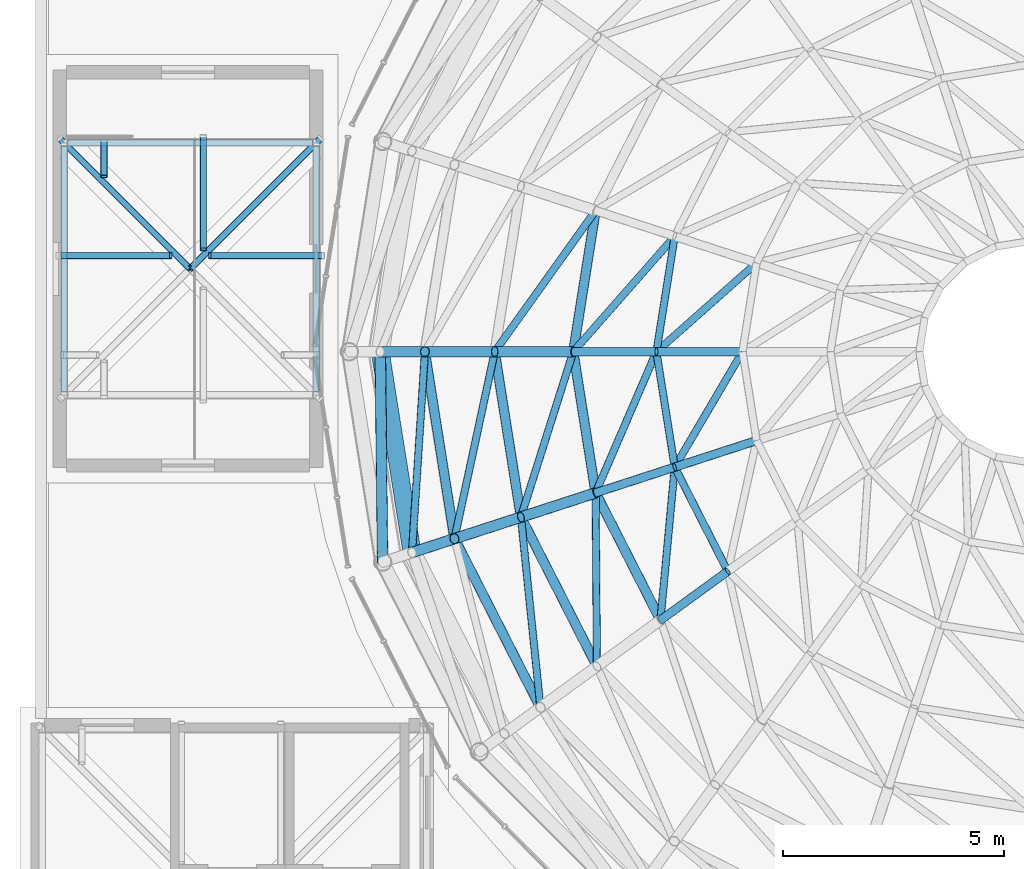
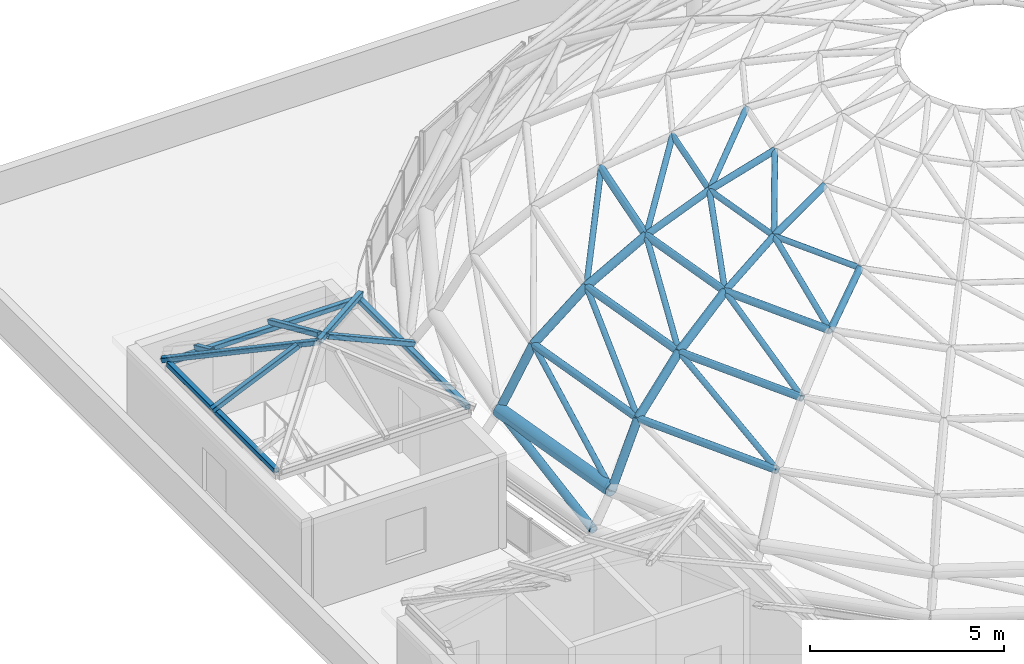
# One storey, part 22 of 69: 43 members.
"""IFC4 building model written with IfcOpenShell, lengths in metres."""

from ifc_helpers import new_model, si_unit, direction, frame, origin, origin_2d, place, context, subcontext, project, spatial, hollow_rectangle, hollow_circle, extrude, material, material_profile, profile_set, type_object, element, save


model = new_model("IFC4")

# Units and contexts
model_context = context("Model", 3, precision=1e-05, world=origin(), true_north=direction((0.0, 1.0)))
body_context = subcontext(model_context, "Body", "Model", "MODEL_VIEW")
ifc_project = project(units=[si_unit("LENGTHUNIT", "METRE"), si_unit("AREAUNIT", "SQUARE_METRE"), si_unit("VOLUMEUNIT", "CUBIC_METRE"), si_unit("PLANEANGLEUNIT", "RADIAN"), si_unit("MASSUNIT", "GRAM", prefix="KILO")], contexts=[model_context])

# Site, building, storey
site_placement = place(None, origin())
site = spatial("IfcSite", under=ifc_project, at=site_placement, CompositionType="ELEMENT")
building_placement = place(site_placement, origin())
building = spatial("IfcBuilding", under=site, at=building_placement, Name="Kallimachos Central Library", CompositionType="ELEMENT")
storey_placement = place(building_placement, frame((0.0, 0.0, 23.39990234375)))
storey = spatial("IfcBuildingStorey", under=building, at=storey_placement, Name="L05", CompositionType="ELEMENT", Elevation=23.39990234375)

# Members
ifc_material_1 = material(Name="Steel S355J2H", Category="steel")
ifc_material_profile_1 = material_profile(ifc_material_1, hollow_circle(Radius=0.084228515625, WallThickness=0.008056640625, at=origin_2d()), Name="CHS 168.3x8")
ifc_profile_set_1 = profile_set([ifc_material_profile_1], Name="Steel S355J2H")
member_type_1 = type_object("IfcMemberType", Name="CHS 168.3x8 dome diagonal", PredefinedType="BRACE", material=ifc_profile_set_1)
member_1_placement = place(storey_placement, frame((81.815185546875, 106.40966796875, 7.582763671875), z_axis=(-0.734954287722, -0.65202540107, -0.186292971734), x_axis=(0.663642976743, -0.748049463217, 0.0)))
element("IfcMember", 1, at=member_1_placement, inside=storey, type_object=member_type_1, Name="Dome diagonal DD-2-09", PredefinedType="BRACE", context=body_context, shape_type="SweptSolid", body=[
    extrude(hollow_circle(Radius=0.084228515625, WallThickness=0.008056640625, at=origin_2d()), origin(), (0.0, 0.0, 1.0), 3.082275390625),
])
member_2_placement = place(storey_placement, frame((81.496826171875, 104.39990234375, 7.582763671875), z_axis=(-0.497543557588, -0.847194451267, -0.186311486618), x_axis=(0.862292566645, -0.506410435821, 0.0)))
element("IfcMember", 2, at=member_2_placement, inside=storey, type_object=member_type_1, Name="Dome diagonal DD-2-10", PredefinedType="BRACE", context=body_context, shape_type="SweptSolid", body=[
    extrude(hollow_circle(Radius=0.084228515625, WallThickness=0.008056640625, at=origin_2d()), origin(), (0.0, 0.0, 1.0), 3.08203125),
])
for number, where, z_axis, x_axis, name in (
    (3, (79.96337890625, 107.01123046875, 7.008544921875), (-0.645062937032, -0.73368706662, -0.213534764247), (0.751008733185, -0.66029227065, 0.0), "Dome diagonal DD-3-09"),
    (4, (79.5498046875, 104.39990234375, 7.008544921875), (-0.38681111755, -0.897094484007, -0.213538394916), (0.918274793049, -0.395943688485, 0.0), "Dome diagonal DD-3-10"),
):
    element("IfcMember", number, at=place(storey_placement, frame(where, z_axis=z_axis, x_axis=x_axis)), inside=storey, type_object=member_type_1, Name=name, PredefinedType="BRACE", context=body_context, shape_type="SweptSolid", body=[
        extrude(hollow_circle(Radius=0.084228515625, WallThickness=0.008056640625, at=origin_2d()), origin(), (0.0, 0.0, 1.0), 3.55908203125),
    ])
member_3_placement = place(storey_placement, frame((79.96337890625, 101.788818359375, 7.008544921875), z_axis=(-0.090612055611, -0.97272487556, -0.213531664736), x_axis=(0.995689311114, -0.092751257315, 0.0)))
element("IfcMember", 5, at=member_3_placement, inside=storey, type_object=member_type_1, Name="Dome diagonal DD-3-11", PredefinedType="BRACE", context=body_context, shape_type="SweptSolid", body=[
    extrude(hollow_circle(Radius=0.084228515625, WallThickness=0.008056640625, at=origin_2d()), origin(), (0.0, 0.0, 1.0), 3.559326171875),
])
for number, where, z_axis, x_axis, name in (
    (6, (78.173095703125, 107.593017578125, 6.24853515625), (-0.564151393748, -0.789317081604, -0.242305075513), (0.813561114612, -0.581479417341, 0.0), "Dome diagonal DD-4-09"),
    (7, (77.66748046875, 104.39990234375, 6.24853515625), (-0.292700442616, -0.924993749275, -0.242307686001), (0.953405759115, -0.30169099835, 0.0), "Dome diagonal DD-4-10"),
):
    element("IfcMember", number, at=place(storey_placement, frame(where, z_axis=z_axis, x_axis=x_axis)), inside=storey, type_object=member_type_1, Name=name, PredefinedType="BRACE", context=body_context, shape_type="SweptSolid", body=[
        extrude(hollow_circle(Radius=0.084228515625, WallThickness=0.008056640625, at=origin_2d()), origin(), (0.0, 0.0, 1.0), 4.04541015625),
    ])
member_4_placement = place(storey_placement, frame((78.173095703125, 101.20703125, 6.24853515625), z_axis=(0.007483726386, -0.970168561724, -0.24231581806), x_axis=(0.999970249653, 0.007713611879, 0.0)))
element("IfcMember", 8, at=member_4_placement, inside=storey, type_object=member_type_1, Name="Dome diagonal DD-4-11", PredefinedType="BRACE", context=body_context, shape_type="SweptSolid", body=[
    extrude(hollow_circle(Radius=0.084228515625, WallThickness=0.008056640625, at=origin_2d()), origin(), (0.0, 0.0, 1.0), 4.045166015625),
])
member_5_placement = place(storey_placement, frame((75.890869140625, 104.39990234375, 5.268310546875), z_axis=(-0.20183431112, -0.93808559785, -0.281528545554), x_axis=(0.97762785525, -0.210342046769, 0.0)))
element("IfcMember", 9, at=member_5_placement, inside=storey, type_object=member_type_1, Name="Dome diagonal DD-5-10", PredefinedType="BRACE", context=body_context, shape_type="SweptSolid", body=[
    extrude(hollow_circle(Radius=0.084228515625, WallThickness=0.008056640625, at=origin_2d()), origin(), (0.0, 0.0, 1.0), 4.509521484375),
])
member_6_placement = place(storey_placement, frame((76.4833984375, 100.657958984375, 5.268310546875), z_axis=(0.097997886193, -0.954531897004, -0.28154088851), x_axis=(0.994771154464, 0.102129086193, 0.0)))
element("IfcMember", 10, at=member_6_placement, inside=storey, type_object=member_type_1, Name="Dome diagonal DD-5-11", PredefinedType="BRACE", context=body_context, shape_type="SweptSolid", body=[
    extrude(hollow_circle(Radius=0.084228515625, WallThickness=0.008056640625, at=origin_2d()), origin(), (0.0, 0.0, 1.0), 4.50927734375),
])
member_7_placement = place(storey_placement, frame((74.310791015625, 104.39990234375, 3.998779296875), z_axis=(-0.059852728903, -0.933461755214, -0.353647850828), x_axis=(0.997950687202, -0.06398770127, 0.0)))
element("IfcMember", 11, at=member_7_placement, inside=storey, type_object=member_type_1, Name="Dome diagonal DD-6-10", PredefinedType="BRACE", context=body_context, shape_type="SweptSolid", body=[
    extrude(hollow_circle(Radius=0.084228515625, WallThickness=0.008056640625, at=origin_2d()), origin(), (0.0, 0.0, 1.0), 4.8662109375),
])
ifc_material_2 = material(Name="Steel S355J2H", Category="steel")
ifc_material_profile_2 = material_profile(ifc_material_2, hollow_circle(Radius=0.084228515625, WallThickness=0.008056640625, at=origin_2d()), Name="CHS 168.3x8")
ifc_profile_set_2 = profile_set([ifc_material_profile_2], Name="Steel S355J2H")
member_type_2 = type_object("IfcMemberType", Name="CHS 168.3x8 dome ring", PredefinedType="PURLIN", material=ifc_profile_set_2)
member_8_placement = place(storey_placement, frame((79.96337890625, 107.01123046875, 7.008544921875), z_axis=(-0.15642726083, -0.987689481603, 0.0), x_axis=(0.987689481603, -0.15642726083, 0.0)))
element("IfcMember", 12, at=member_8_placement, inside=storey, type_object=member_type_2, Name="Dome ring DN-3-09", PredefinedType="PURLIN", context=body_context, shape_type="SweptSolid", body=[
    extrude(hollow_circle(Radius=0.084228515625, WallThickness=0.008056640625, at=origin_2d()), origin(), (0.0, 0.0, 1.0), 2.643798828125),
])
member_9_placement = place(storey_placement, frame((79.5498046875, 104.39990234375, 7.008544921875), z_axis=(0.15644152909, -0.987687221734, 0.0), x_axis=(0.987687221734, 0.15644152909, 0.0)))
element("IfcMember", 13, at=member_9_placement, inside=storey, type_object=member_type_2, Name="Dome ring DN-3-10", PredefinedType="PURLIN", context=body_context, shape_type="SweptSolid", body=[
    extrude(hollow_circle(Radius=0.084228515625, WallThickness=0.008056640625, at=origin_2d()), origin(), (0.0, 0.0, 1.0), 2.6435546875),
])
member_10_placement = place(storey_placement, frame((79.96337890625, 101.788818359375, 7.008544921875), z_axis=(0.453960364192, -0.891021878375, 0.0), x_axis=(0.891021878375, 0.453960364192, 0.0)))
element("IfcMember", 14, at=member_10_placement, inside=storey, type_object=member_type_2, Name="Dome ring DN-3-11", PredefinedType="PURLIN", context=body_context, shape_type="SweptSolid", body=[
    extrude(hollow_circle(Radius=0.084228515625, WallThickness=0.008056640625, at=origin_2d()), origin(), (0.0, 0.0, 1.0), 2.643798828125),
])
ifc_material_3 = material(Name="Steel S355J2H", Category="steel")
ifc_material_profile_3 = material_profile(ifc_material_3, hollow_circle(Radius=0.096923828125, WallThickness=0.010009765625, at=origin_2d()), Name="CHS 193.7x10")
ifc_profile_set_3 = profile_set([ifc_material_profile_3], Name="Steel S355J2H")
member_type_3 = type_object("IfcMemberType", Name="CHS 193.7x10 dome rib", PredefinedType="RAFTER", material=ifc_profile_set_3)
for number, where, z_axis, x_axis, name in (
    (15, (81.496826171875, 104.39990234375, 7.582763671875), (-0.959156489441, 0.0, -0.282875995381), (0.0, -1.0, 0.0), "Dome rib DR-2-10"),
    (16, (81.815185546875, 102.390380859375, 7.582763671875), (-0.912231924273, -0.296340074016, -0.282870070651), (0.308958483241, -0.951075525725, 0.0), "Dome rib DR-2-11"),
    (17, (79.5498046875, 104.39990234375, 7.008544921875), (-0.927269138814, 0.0, -0.374395438278), (0.0, -1.0, 0.0), "Dome rib DR-3-10"),
    (18, (79.96337890625, 101.788818359375, 7.008544921875), (-0.881880269853, -0.286584028782, -0.374375191607), (0.309059678962, -0.951042646173, 0.0), "Dome rib DR-3-11"),
):
    element("IfcMember", number, at=place(storey_placement, frame(where, z_axis=z_axis, x_axis=x_axis)), inside=storey, type_object=member_type_3, Name=name, PredefinedType="RAFTER", context=body_context, shape_type="SweptSolid", body=[
        extrude(hollow_circle(Radius=0.096923828125, WallThickness=0.010009765625, at=origin_2d()), origin(), (0.0, 0.0, 1.0), 2.030029296875),
    ])
member_11_placement = place(storey_placement, frame((81.16357421875, 99.43310546875, 7.008544921875), z_axis=(-0.750140450546, -0.545075600749, -0.374408725757), x_axis=(0.587832304237, -0.808982807045, 0.0)))
element("IfcMember", 19, at=member_11_placement, inside=storey, type_object=member_type_3, Name="Dome rib DR-3-12", PredefinedType="RAFTER", context=body_context, shape_type="SweptSolid", body=[
    extrude(hollow_circle(Radius=0.096923828125, WallThickness=0.010009765625, at=origin_2d()), origin(), (0.0, 0.0, 1.0), 2.02978515625),
])
ifc_material_4 = material(Name="Steel S355J2H", Category="steel")
ifc_material_profile_4 = material_profile(ifc_material_4, hollow_circle(Radius=0.109619140625, WallThickness=0.012451171875, at=origin_2d()), Name="CHS 219.1x12.5")
ifc_profile_set_4 = profile_set([ifc_material_profile_4], Name="Steel S355J2H")
member_type_4 = type_object("IfcMemberType", Name="CHS 219.1x12.5 dome ring", PredefinedType="PURLIN", material=ifc_profile_set_4)
member_12_placement = place(storey_placement, frame((78.173095703125, 107.593017578125, 6.24853515625), z_axis=(-0.156396886471, -0.987694291723, 0.0), x_axis=(0.987694291723, -0.156396886471, 0.0)))
element("IfcMember", 20, at=member_12_placement, inside=storey, type_object=member_type_4, Name="Dome ring DN-4-09", PredefinedType="PURLIN", context=body_context, shape_type="SweptSolid", body=[
    extrude(hollow_circle(Radius=0.109619140625, WallThickness=0.012451171875, at=origin_2d()), origin(), (0.0, 0.0, 1.0), 3.23291015625),
])
for number, where, z_axis, x_axis, name in (
    (21, (77.66748046875, 104.39990234375, 6.24853515625), (0.156408552704, -0.987692444358, 0.0), (0.987692444358, 0.156408552704, 0.0), "Dome ring DN-4-10"),
    (22, (78.173095703125, 101.20703125, 6.24853515625), (0.454027596284, -0.890987621582, 0.0), (0.890987621582, 0.454027596284, 0.0), "Dome ring DN-4-11"),
):
    element("IfcMember", number, at=place(storey_placement, frame(where, z_axis=z_axis, x_axis=x_axis)), inside=storey, type_object=member_type_4, Name=name, PredefinedType="PURLIN", context=body_context, shape_type="SweptSolid", body=[
        extrude(hollow_circle(Radius=0.109619140625, WallThickness=0.012451171875, at=origin_2d()), origin(), (0.0, 0.0, 1.0), 3.232666015625),
    ])
member_13_placement = place(storey_placement, frame((75.890869140625, 104.39990234375, 5.268310546875), z_axis=(0.156399366664, -0.987693898993, 0.0), x_axis=(0.987693898993, 0.156399366664, 0.0)))
element("IfcMember", 23, at=member_13_placement, inside=storey, type_object=member_type_4, Name="Dome ring DN-5-10", PredefinedType="PURLIN", context=body_context, shape_type="SweptSolid", body=[
    extrude(hollow_circle(Radius=0.109619140625, WallThickness=0.012451171875, at=origin_2d()), origin(), (0.0, 0.0, 1.0), 3.78857421875),
])
member_14_placement = place(storey_placement, frame((76.4833984375, 100.657958984375, 5.268310546875), z_axis=(0.454005906169, -0.890998674052, 0.0), x_axis=(0.890998674052, 0.454005906169, 0.0)))
element("IfcMember", 24, at=member_14_placement, inside=storey, type_object=member_type_4, Name="Dome ring DN-5-11", PredefinedType="PURLIN", context=body_context, shape_type="SweptSolid", body=[
    extrude(hollow_circle(Radius=0.109619140625, WallThickness=0.012451171875, at=origin_2d()), origin(), (0.0, 0.0, 1.0), 3.788330078125),
])
member_15_placement = place(storey_placement, frame((74.310791015625, 104.39990234375, 3.998779296875), z_axis=(0.156416270198, -0.987691222203, 0.0), x_axis=(0.987691222203, 0.156416270198, 0.0)))
element("IfcMember", 25, at=member_15_placement, inside=storey, type_object=member_type_4, Name="Dome ring DN-6-10", PredefinedType="PURLIN", context=body_context, shape_type="SweptSolid", body=[
    extrude(hollow_circle(Radius=0.109619140625, WallThickness=0.012451171875, at=origin_2d()), origin(), (0.0, 0.0, 1.0), 4.282958984375),
])
member_16_placement = place(storey_placement, frame((74.980712890625, 100.169677734375, 3.998779296875), z_axis=(0.454041059528, -0.890980760882, 0.0), x_axis=(0.890980760882, 0.454041059528, 0.0)))
element("IfcMember", 26, at=member_16_placement, inside=storey, type_object=member_type_4, Name="Dome ring DN-6-11", PredefinedType="PURLIN", context=body_context, shape_type="SweptSolid", body=[
    extrude(hollow_circle(Radius=0.109619140625, WallThickness=0.012451171875, at=origin_2d()), origin(), (0.0, 0.0, 1.0), 4.28271484375),
])
ifc_material_5 = material(Name="Steel S355J2H", Category="steel")
ifc_material_profile_5 = material_profile(ifc_material_5, hollow_circle(Radius=0.122314453125, WallThickness=0.012451171875, at=origin_2d()), Name="CHS 244.5x12.5")
ifc_profile_set_5 = profile_set([ifc_material_profile_5], Name="Steel S355J2H")
member_type_5 = type_object("IfcMemberType", Name="CHS 244.5x12.5 dome diagonal", PredefinedType="BRACE", material=ifc_profile_set_5)
member_17_placement = place(storey_placement, frame((73.300048828125, 104.39990234375, 2.27783203125), z_axis=(0.011089449796, -0.982525251914, -0.185798690671), x_axis=(0.999936311493, 0.011285962884, 0.0)))
element("IfcMember", 27, at=member_17_placement, inside=storey, type_object=member_type_5, Name="Dome diagonal DD-7-10", PredefinedType="BRACE", context=body_context, shape_type="SweptSolid", body=[
    extrude(hollow_circle(Radius=0.122314453125, WallThickness=0.012451171875, at=origin_2d()), origin(), (0.0, 0.0, 1.0), 4.843505859375),
])
ifc_material_6 = material(Name="Steel S355J2H", Category="steel")
ifc_material_profile_6 = material_profile(ifc_material_6, hollow_circle(Radius=0.122314453125, WallThickness=0.012451171875, at=origin_2d()), Name="CHS 244.5x12.5")
ifc_profile_set_6 = profile_set([ifc_material_profile_6], Name="Steel S355J2H")
member_type_6 = type_object("IfcMemberType", Name="CHS 244.5x12.5 dome rib", PredefinedType="RAFTER", material=ifc_profile_set_6)
for number, where, z_axis, x_axis, name in (
    (28, (77.66748046875, 104.39990234375, 6.24853515625), (-0.875572419267, 0.0, -0.483086885166), (0.0, -1.0, 0.0), "Dome rib DR-4-10"),
    (29, (78.173095703125, 101.20703125, 6.24853515625), (-0.83271713957, -0.270593967186, -0.483074601267), (0.309045678815, -0.951047195677, 0.0), "Dome rib DR-4-11"),
):
    element("IfcMember", number, at=place(storey_placement, frame(where, z_axis=z_axis, x_axis=x_axis)), inside=storey, type_object=member_type_6, Name=name, PredefinedType="RAFTER", context=body_context, shape_type="SweptSolid", body=[
        extrude(hollow_circle(Radius=0.122314453125, WallThickness=0.012451171875, at=origin_2d()), origin(), (0.0, 0.0, 1.0), 2.029052734375),
    ])
for number, where, z_axis, x_axis, name in (
    (30, (75.890869140625, 104.39990234375, 5.268310546875), (-0.779550942262, 0.0, -0.626338828764), (0.0, -1.0, 0.0), "Dome rib DR-5-10"),
    (31, (76.4833984375, 100.657958984375, 5.268310546875), (-0.741383201847, -0.240904371031, -0.62635136468), (0.309033663672, -0.951051099951, 0.0), "Dome rib DR-5-11"),
):
    element("IfcMember", number, at=place(storey_placement, frame(where, z_axis=z_axis, x_axis=x_axis)), inside=storey, type_object=member_type_6, Name=name, PredefinedType="RAFTER", context=body_context, shape_type="SweptSolid", body=[
        extrude(hollow_circle(Radius=0.122314453125, WallThickness=0.012451171875, at=origin_2d()), origin(), (0.0, 0.0, 1.0), 2.02685546875),
    ])
for number, where, z_axis, x_axis, name in (
    (32, (74.310791015625, 104.39990234375, 3.998779296875), (-0.506431960576, 0.0, -0.862279925145), (0.0, -1.0, 0.0), "Dome rib DR-6-10"),
    (33, (74.980712890625, 100.169677734375, 3.998779296875), (-0.481613325792, -0.156460107617, -0.862304377319), (0.308971360656, -0.951071342379, 0.0), "Dome rib DR-6-11"),
):
    element("IfcMember", number, at=place(storey_placement, frame(where, z_axis=z_axis, x_axis=x_axis)), inside=storey, type_object=member_type_6, Name=name, PredefinedType="RAFTER", context=body_context, shape_type="SweptSolid", body=[
        extrude(hollow_circle(Radius=0.122314453125, WallThickness=0.012451171875, at=origin_2d()), origin(), (0.0, 0.0, 1.0), 1.995849609375),
    ])
ifc_material_7 = material(Name="Steel S355J2H", Category="steel")
ifc_material_profile_7 = material_profile(ifc_material_7, hollow_circle(Radius=0.203125, WallThickness=0.012451171875, at=origin_2d()), Name="CHS 406.4x12.5")
ifc_profile_set_7 = profile_set([ifc_material_profile_7], Name="Steel S355J2H")
member_type_7 = type_object("IfcMemberType", Name="CHS 406.4x12.5 dome ring", PredefinedType="PURLIN", material=ifc_profile_set_7)
member_18_placement = place(storey_placement, frame((73.300048828125, 104.39990234375, 2.27783203125), z_axis=(0.156439597132, -0.987687527738, 0.0), x_axis=(0.987687527738, 0.156439597132, 0.0)))
element("IfcMember", 34, at=member_18_placement, inside=storey, type_object=member_type_7, Name="Dome ring DN-7-10", PredefinedType="PURLIN", context=body_context, shape_type="SweptSolid", body=[
    extrude(hollow_circle(Radius=0.203125, WallThickness=0.012451171875, at=origin_2d()), origin(), (0.0, 0.0, 1.0), 4.59912109375),
])
ifc_material_8 = material(Name="Steel S355J2H", Category="steel")
ifc_material_profile_8 = material_profile(ifc_material_8, hollow_rectangle(XDim=0.14990234375, YDim=0.14990234375, WallThickness=0.010009765625, InnerFilletRadius=0.010009765625, OuterFilletRadius=0.014892578125, at=origin_2d()), Name="SHS 150x150x10")
ifc_profile_set_8 = profile_set([ifc_material_profile_8], Name="Steel S355J2H")
member_type_8 = type_object("IfcMemberType", Name="SHS 150x150x10 eaves bearer", PredefinedType="STRINGER", material=ifc_profile_set_8)
member_19_placement = place(storey_placement, frame((66.22509765625, 109.125, 3.425048828125), z_axis=(1.0, 0.0, 0.0), x_axis=(0.0, 1.0, 0.0)))
element("IfcMember", 35, at=member_19_placement, inside=storey, type_object=member_type_8, Name="Head-house roof V1-NW eaves bearer N", PredefinedType="STRINGER", context=body_context, shape_type="SweptSolid", body=[
    extrude(hollow_rectangle(XDim=0.14990234375, YDim=0.14990234375, WallThickness=0.010009765625, InnerFilletRadius=0.010009765625, OuterFilletRadius=0.014892578125, at=origin_2d()), origin(), (0.0, 0.0, 1.0), 5.5498046875),
])
for number, where, z_axis, x_axis, name in (
    (36, (66.14990234375, 103.5, 3.425048828125), (0.0, 1.0, 0.0), (-1.0, 0.0, 0.0), "Head-house roof V1-NW eaves bearer W"),
    (37, (71.85009765625, 103.5, 3.425048828125), (0.0, 1.0, 0.0), (-1.0, 0.0, 0.0), "Head-house roof V1-NW eaves bearer E"),
):
    element("IfcMember", number, at=place(storey_placement, frame(where, z_axis=z_axis, x_axis=x_axis)), inside=storey, type_object=member_type_8, Name=name, PredefinedType="STRINGER", context=body_context, shape_type="SweptSolid", body=[
        extrude(hollow_rectangle(XDim=0.14990234375, YDim=0.14990234375, WallThickness=0.010009765625, InnerFilletRadius=0.010009765625, OuterFilletRadius=0.014892578125, at=origin_2d()), origin(), (0.0, 0.0, 1.0), 5.550048828125),
    ])
ifc_material_9 = material(Name="Steel S355J2H", Category="steel")
ifc_material_profile_9 = material_profile(ifc_material_9, hollow_rectangle(XDim=0.14990234375, YDim=0.14990234375, WallThickness=0.010009765625, InnerFilletRadius=0.010009765625, OuterFilletRadius=0.014892578125, at=origin_2d()), Name="SHS 150x150x10")
ifc_profile_set_9 = profile_set([ifc_material_profile_9], Name="Steel S355J2H")
member_type_9 = type_object("IfcMemberType", Name="SHS 150x150x10 rafter", PredefinedType="RAFTER", material=ifc_profile_set_9)
member_20_placement = place(storey_placement, frame((67.050048828125, 109.175048828125, 3.559814453125), z_axis=(0.0, -0.913470640573, 0.406904643389), x_axis=(1.0, 0.0, 0.0)))
element("IfcMember", 38, at=member_20_placement, inside=storey, type_object=member_type_9, Name="Head-house roof V1-NW rafter", PredefinedType="RAFTER", context=body_context, shape_type="SweptSolid", body=[
    extrude(hollow_rectangle(XDim=0.14990234375, YDim=0.14990234375, WallThickness=0.010009765625, InnerFilletRadius=0.010009765625, OuterFilletRadius=0.014892578125, at=origin_2d()), origin(), (0.0, 0.0, 1.0), 0.88671875),
])
for number, where, z_axis, x_axis, name in (
    (39, (69.300048828125, 109.27490234375, 3.515380859375), (0.0, -0.913520293885, 0.406793157096), (1.0, 0.0, 0.0), "Head-house roof V1-NW rafter"),
    (40, (66.0, 106.574951171875, 3.515380859375), (0.913534709899, 0.0, 0.406760782045), (0.0, 1.0, 0.0), "Head-house roof V1-NW rafter"),
    (41, (72.0, 106.574951171875, 3.515380859375), (-0.913534709899, 0.0, 0.406760782045), (0.0, -1.0, 0.0), "Head-house roof V1-NW rafter"),
):
    element("IfcMember", number, at=place(storey_placement, frame(where, z_axis=z_axis, x_axis=x_axis)), inside=storey, type_object=member_type_9, Name=name, PredefinedType="RAFTER", context=body_context, shape_type="SweptSolid", body=[
        extrude(hollow_rectangle(XDim=0.14990234375, YDim=0.14990234375, WallThickness=0.010009765625, InnerFilletRadius=0.010009765625, OuterFilletRadius=0.014892578125, at=origin_2d()), origin(), (0.0, 0.0, 1.0), 2.80224609375),
    ])
ifc_material_10 = material(Name="Steel S355J2H", Category="steel")
ifc_material_profile_10 = material_profile(ifc_material_10, hollow_rectangle(XDim=0.14990234375, YDim=0.14990234375, WallThickness=0.010009765625, InnerFilletRadius=0.010009765625, OuterFilletRadius=0.014892578125, at=origin_2d()), Name="SHS 150x150x10")
ifc_profile_set_10 = profile_set([ifc_material_profile_10], Name="Steel S355J2H")
member_type_10 = type_object("IfcMemberType", Name="SHS 200x200x10 hip rafter", PredefinedType="RAFTER", material=ifc_profile_set_10)
for number, where, z_axis, x_axis, name in (
    (42, (66.050048828125, 109.22509765625, 3.487548828125), (0.674453955673, -0.674509774092, 0.30024727531), (0.707136039769, 0.707077521394, 0.0), "Head-house roof V1-NW hip"),
    (43, (71.949951171875, 109.22509765625, 3.487548828125), (-0.674453955673, -0.674509774092, 0.30024727531), (0.707136039769, -0.707077521394, 0.0), "Head-house roof V1-NW hip"),
):
    element("IfcMember", number, at=place(storey_placement, frame(where, z_axis=z_axis, x_axis=x_axis)), inside=storey, type_object=member_type_10, Name=name, PredefinedType="RAFTER", context=body_context, shape_type="SweptSolid", body=[
        extrude(hollow_rectangle(XDim=0.14990234375, YDim=0.14990234375, WallThickness=0.010009765625, InnerFilletRadius=0.010009765625, OuterFilletRadius=0.014892578125, at=origin_2d()), origin(), (0.0, 0.0, 1.0), 4.373779296875),
    ])

save(model, "model.ifc")
